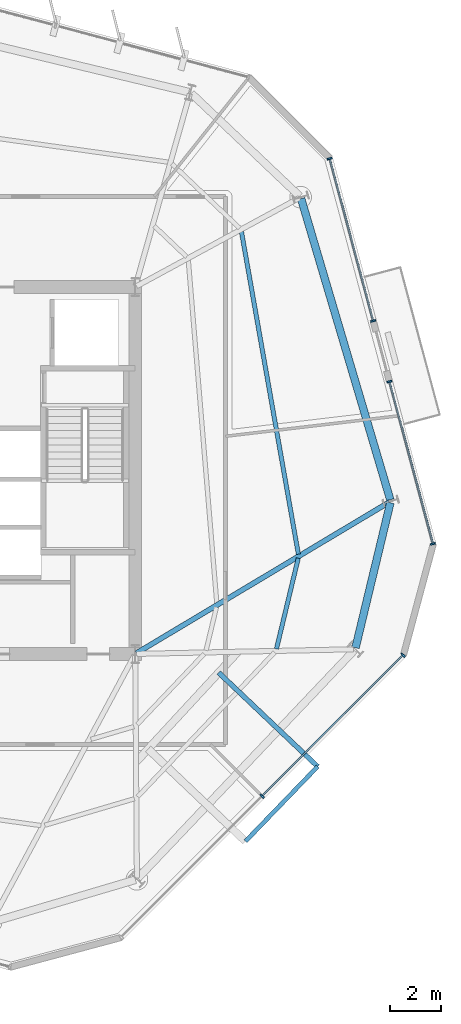
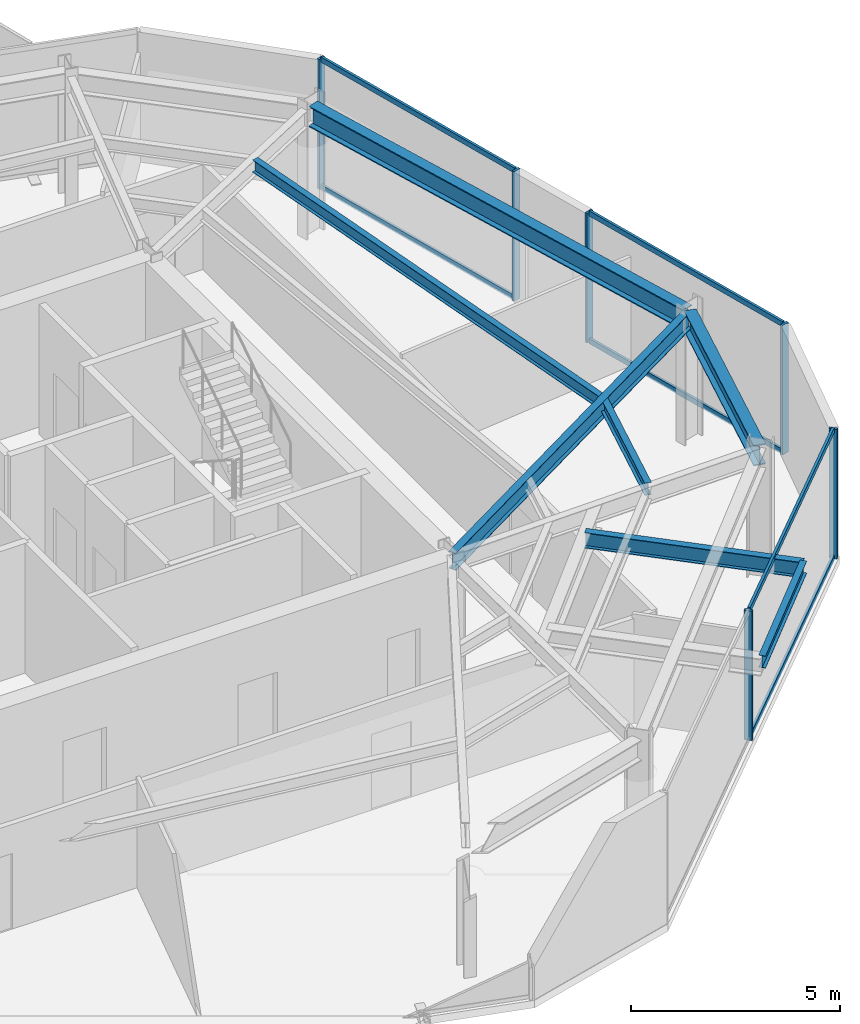
# One storey, part 5 of 12: 12 members, 7 beams, 3 elements without a shape of their own.
"""IFC4 building model written with IfcOpenShell, lengths in metres."""

from ifc_helpers import new_model, si_unit, direction, frame, origin, origin_2d, place, context, subcontext, project, spatial, rectangle, i_section, extrude, material, layer, layer_set, material_profile, profile_set, type_object, element, aggregate, save


model = new_model("IFC4")

# Units and contexts
model_context = context("Model", 3, precision=1e-05, world=origin(), true_north=direction((0.0, 1.0)))
body_context = subcontext(model_context, "Body", "Model", "MODEL_VIEW")
ifc_project = project(units=[si_unit("LENGTHUNIT", "METRE"), si_unit("AREAUNIT", "SQUARE_METRE"), si_unit("VOLUMEUNIT", "CUBIC_METRE"), si_unit("PLANEANGLEUNIT", "RADIAN"), si_unit("MASSUNIT", "GRAM", prefix="KILO")], contexts=[model_context])

# Site, building, storey
site_placement = place(None, origin())
site = spatial("IfcSite", under=ifc_project, at=site_placement, CompositionType="ELEMENT")
building_placement = place(site_placement, origin())
building = spatial("IfcBuilding", under=site, at=building_placement, Name="Kranzbogen Civic Tower", CompositionType="ELEMENT")
storey_placement = place(building_placement, frame((0.0, 0.0, 204.800048828125)))
storey = spatial("IfcBuildingStorey", under=building, at=storey_placement, Name="L49", CompositionType="ELEMENT", Elevation=204.800048828125)

# Beam
ifc_material_1 = material(Name="Steel S355", Category="steel")
ifc_material_profile_1 = material_profile(ifc_material_1, i_section(OverallWidth=0.18994140625, OverallDepth=0.449951171875, WebThickness=0.009521484375, FlangeThickness=0.0146484375, at=origin_2d()), Name="IPE 450")
ifc_profile_set_1 = profile_set([ifc_material_profile_1], Name="Steel S355")
beam_type_1 = type_object("IfcBeamType", Name="Braced Terrace Edge Beam IPE 450", PredefinedType="BEAM", material=ifc_profile_set_1)
beam_1_placement = place(storey_placement, frame((36.075927734375, 17.06591796875, 3.52490234375), z_axis=(0.725467201418, -0.688256739645, 0.0), x_axis=(0.688256739645, 0.725467201418, 0.0)))
element("IfcBeam", 1, at=beam_1_placement, inside=storey, type_object=beam_type_1, Name="L50 back-spanned terrace beam L50-TB2-2", PredefinedType="BEAM", context=body_context, shape_type="SweptSolid", body=[
    extrude(i_section(OverallWidth=0.18994140625, OverallDepth=0.449951171875, WebThickness=0.009521484375, FlangeThickness=0.0146484375, at=origin_2d()), origin(), (0.0, 0.0, 1.0), 5.353759765625),
])

# Curtain wall, members
ifc_material_2 = material(Name="Pale Anodised Aluminium", Category="aluminium")
ifc_layer = layer(ifc_material_2, 0.219970703125, Name="Pale Anodised Aluminium")
ifc_layer_set = layer_set([ifc_layer], Name="Pale Anodised Aluminium")
curtain_wall_type = type_object("IfcCurtainWallType", Name="Zone 3 Stick Curtain Wall System CW-04", PredefinedType="USERDEFINED", material=ifc_layer_set)
curtain_wall_1_placement = place(storey_placement, origin())
curtain_wall_1 = element("IfcCurtainWall", 2, at=curtain_wall_1_placement, inside=storey, type_object=curtain_wall_type, Name="L49 curtain wall CW-L49-F5", ObjectType="STICK CURTAIN WALL", PredefinedType="USERDEFINED")
ifc_material_profile_2 = material_profile(ifc_material_2, rectangle(XDim=0.070068359375, YDim=0.199951171875, at=origin_2d()), Name="ALU-M 70x200")
ifc_profile_set_2 = profile_set([ifc_material_profile_2], Name="Pale Anodised Aluminium")
member_type_1 = type_object("IfcMemberType", Name="Curtain Wall Mullion ALU-M 70x200", PredefinedType="MULLION", material=ifc_profile_set_2)
member_1_placement = place(storey_placement, frame((37.778564453125, 12.221435546875, 0.0), z_axis=(0.0, 0.0, 1.0), x_axis=(0.707106781187, 0.707106781187, 0.0)))
member_1 = element("IfcMember", 3, at=member_1_placement, type_object=member_type_1, Name="CW-04 mullion 2", PredefinedType="MULLION", context=body_context, shape_type="SweptSolid", body=[
    extrude(rectangle(XDim=0.070068359375, YDim=0.199951171875, at=origin_2d()), origin(), (0.0, 0.0, 1.0), 3.780029296875),
])
member_2_placement = place(storey_placement, frame((43.310791015625, 17.75390625, 0.0), z_axis=(0.0, 0.0, 1.0), x_axis=(0.707106781187, 0.707106781187, 0.0)))
member_2 = element("IfcMember", 4, at=member_2_placement, type_object=member_type_1, Name="CW-04 mullion 3", PredefinedType="MULLION", context=body_context, shape_type="SweptSolid", body=[
    extrude(rectangle(XDim=0.070068359375, YDim=0.199951171875, at=origin_2d()), origin(), (0.0, 0.0, 1.0), 3.780029296875),
])

curtain_wall_2_placement = place(storey_placement, origin())
curtain_wall_2 = element("IfcCurtainWall", 5, at=curtain_wall_2_placement, inside=storey, type_object=curtain_wall_type, Name="L49 curtain wall CW-L49-F6-S1", ObjectType="STICK CURTAIN WALL", PredefinedType="USERDEFINED")
member_3_placement = place(storey_placement, frame((44.481201171875, 22.119873046875, 0.0), z_axis=(0.0, 0.0, 1.0), x_axis=(-0.258803696103, 0.96592993891, 0.0)))
member_3 = element("IfcMember", 6, at=member_3_placement, type_object=member_type_1, Name="CW-04 mullion 1", PredefinedType="MULLION", context=body_context, shape_type="SweptSolid", body=[
    extrude(rectangle(XDim=0.070068359375, YDim=0.199951171875, at=origin_2d()), origin(), (0.0, 0.0, 1.0), 3.780029296875),
])
member_4_placement = place(storey_placement, frame((42.774658203125, 28.489013671875, 0.0), z_axis=(0.0, 0.0, 1.0), x_axis=(-0.258803696103, 0.96592993891, 0.0)))
member_4 = element("IfcMember", 7, at=member_4_placement, type_object=member_type_1, Name="CW-04 mullion 2", PredefinedType="MULLION", context=body_context, shape_type="SweptSolid", body=[
    extrude(rectangle(XDim=0.070068359375, YDim=0.199951171875, at=origin_2d()), origin(), (0.0, 0.0, 1.0), 3.780029296875),
])

curtain_wall_3_placement = place(storey_placement, origin())
curtain_wall_3 = element("IfcCurtainWall", 8, at=curtain_wall_3_placement, inside=storey, type_object=curtain_wall_type, Name="L49 curtain wall CW-L49-F6-S2", ObjectType="STICK CURTAIN WALL", PredefinedType="USERDEFINED")
member_5_placement = place(storey_placement, frame((42.13818359375, 30.864990234375, 0.0), z_axis=(0.0, 0.0, 1.0), x_axis=(-0.25890633069, 0.965902433959, 0.0)))
member_5 = element("IfcMember", 9, at=member_5_placement, type_object=member_type_1, Name="CW-04 mullion 1", PredefinedType="MULLION", context=body_context, shape_type="SweptSolid", body=[
    extrude(rectangle(XDim=0.070068359375, YDim=0.199951171875, at=origin_2d()), origin(), (0.0, 0.0, 1.0), 3.780029296875),
])
member_6_placement = place(storey_placement, frame((40.4306640625, 37.235107421875, 0.0), z_axis=(0.0, 0.0, 1.0), x_axis=(-0.25890633069, 0.965902433959, 0.0)))
member_6 = element("IfcMember", 10, at=member_6_placement, type_object=member_type_1, Name="CW-04 mullion 2", PredefinedType="MULLION", context=body_context, shape_type="SweptSolid", body=[
    extrude(rectangle(XDim=0.070068359375, YDim=0.199951171875, at=origin_2d()), origin(), (0.0, 0.0, 1.0), 3.780029296875),
])

# Member
ifc_material_profile_3 = material_profile(ifc_material_2, rectangle(XDim=0.070068359375, YDim=0.14990234375, at=origin_2d()), Name="ALU-T 70x150")
ifc_profile_set_3 = profile_set([ifc_material_profile_3], Name="Pale Anodised Aluminium")
member_type_2 = type_object("IfcMemberType", Name="Curtain Wall Transom ALU-T 70x150", PredefinedType="USERDEFINED", material=ifc_profile_set_3)
member_7_placement = place(storey_placement, frame((37.7998046875, 12.24267578125, 0.030029296875), z_axis=(0.707091058094, 0.70712250393, 0.0), x_axis=(-0.70712250393, 0.707091058094, 0.0)))
member_7 = element("IfcMember", 11, at=member_7_placement, type_object=member_type_2, Name="CW-04 transom 2.1", ObjectType="TRANSOM", PredefinedType="USERDEFINED", context=body_context, shape_type="SweptSolid", body=[
    extrude(rectangle(XDim=0.070068359375, YDim=0.14990234375, at=origin_2d()), origin(), (0.0, 0.0, 1.0), 7.763916015625),
])

member_8_placement = place(storey_placement, frame((37.7998046875, 12.24267578125, 3.75), z_axis=(0.707091058094, 0.70712250393, 0.0), x_axis=(-0.70712250393, 0.707091058094, 0.0)))
member_8 = element("IfcMember", 12, at=member_8_placement, type_object=member_type_2, Name="CW-04 transom 2.2", ObjectType="TRANSOM", PredefinedType="USERDEFINED", context=body_context, shape_type="SweptSolid", body=[
    extrude(rectangle(XDim=0.070068359375, YDim=0.14990234375, at=origin_2d()), origin(), (0.0, 0.0, 1.0), 7.763916015625),
])

aggregate(curtain_wall_1, [member_1, member_2, member_7, member_8])

member_9_placement = place(storey_placement, frame((44.473388671875, 22.14892578125, 0.030029296875), z_axis=(-0.258802079563, 0.965930372032, 0.0), x_axis=(-0.965930372032, -0.258802079563, 0.0)))
member_9 = element("IfcMember", 13, at=member_9_placement, type_object=member_type_2, Name="CW-04 transom 1.1", ObjectType="TRANSOM", PredefinedType="USERDEFINED", context=body_context, shape_type="SweptSolid", body=[
    extrude(rectangle(XDim=0.070068359375, YDim=0.14990234375, at=origin_2d()), origin(), (0.0, 0.0, 1.0), 6.53369140625),
])

member_10_placement = place(storey_placement, frame((44.473388671875, 22.14892578125, 3.75), z_axis=(-0.258802079563, 0.965930372032, 0.0), x_axis=(-0.965930372032, -0.258802079563, 0.0)))
member_10 = element("IfcMember", 14, at=member_10_placement, type_object=member_type_2, Name="CW-04 transom 1.2", ObjectType="TRANSOM", PredefinedType="USERDEFINED", context=body_context, shape_type="SweptSolid", body=[
    extrude(rectangle(XDim=0.070068359375, YDim=0.14990234375, at=origin_2d()), origin(), (0.0, 0.0, 1.0), 6.53369140625),
])

aggregate(curtain_wall_2, [member_3, member_4, member_9, member_10])

member_11_placement = place(storey_placement, frame((42.13037109375, 30.89404296875, 0.030029296875), z_axis=(-0.258904150865, 0.96590301825, 0.0), x_axis=(-0.96590301825, -0.258904150865, 0.0)))
member_11 = element("IfcMember", 15, at=member_11_placement, type_object=member_type_2, Name="CW-04 transom 1.1", ObjectType="TRANSOM", PredefinedType="USERDEFINED", context=body_context, shape_type="SweptSolid", body=[
    extrude(rectangle(XDim=0.070068359375, YDim=0.14990234375, at=origin_2d()), origin(), (0.0, 0.0, 1.0), 6.534912109375),
])

member_12_placement = place(storey_placement, frame((42.13037109375, 30.89404296875, 3.75), z_axis=(-0.258904150865, 0.96590301825, 0.0), x_axis=(-0.96590301825, -0.258904150865, 0.0)))
member_12 = element("IfcMember", 16, at=member_12_placement, type_object=member_type_2, Name="CW-04 transom 1.2", ObjectType="TRANSOM", PredefinedType="USERDEFINED", context=body_context, shape_type="SweptSolid", body=[
    extrude(rectangle(XDim=0.070068359375, YDim=0.14990234375, at=origin_2d()), origin(), (0.0, 0.0, 1.0), 6.534912109375),
])

aggregate(curtain_wall_3, [member_5, member_6, member_11, member_12])

# Beams
ifc_material_profile_4 = material_profile(ifc_material_1, i_section(OverallWidth=0.300048828125, OverallDepth=0.60009765625, WebThickness=0.015380859375, FlangeThickness=0.030029296875, at=origin_2d()), Name="HEB 600")
ifc_profile_set_4 = profile_set([ifc_material_profile_4], Name="Steel S355")
beam_type_2 = type_object("IfcBeamType", Name="Perimeter Tube Spandrel Beam HEB 600", PredefinedType="SPANDREL", material=ifc_profile_set_4)
beam_2_placement = place(storey_placement, frame((41.447021484375, 18.0419921875, 3.47998046875), z_axis=(0.233554380434, 0.972343741369, 0.0), x_axis=(-0.972343741369, 0.233554380434, 0.0)))
element("IfcBeam", 17, at=beam_2_placement, inside=storey, type_object=beam_type_2, Name="L49 perimeter spandrel beam 05", PredefinedType="SPANDREL", context=body_context, shape_type="SweptSolid", body=[
    extrude(i_section(OverallWidth=0.300048828125, OverallDepth=0.60009765625, WebThickness=0.015380859375, FlangeThickness=0.030029296875, at=origin_2d()), origin(), (0.0, 0.0, 1.0), 5.852783203125),
])
beam_3_placement = place(storey_placement, frame((42.81103515625, 23.84912109375, 3.47998046875), z_axis=(-0.284064048956, 0.958805306666, 0.0), x_axis=(-0.958805306666, -0.284064048956, 0.0)))
element("IfcBeam", 18, at=beam_3_placement, inside=storey, type_object=beam_type_2, Name="L49 perimeter spandrel beam 06", PredefinedType="SPANDREL", context=body_context, shape_type="SweptSolid", body=[
    extrude(i_section(OverallWidth=0.300048828125, OverallDepth=0.60009765625, WebThickness=0.015380859375, FlangeThickness=0.030029296875, at=origin_2d()), origin(), (0.0, 0.0, 1.0), 12.32470703125),
])
ifc_material_profile_5 = material_profile(ifc_material_1, i_section(OverallWidth=0.199951171875, OverallDepth=0.5, WebThickness=0.01025390625, FlangeThickness=0.01611328125, at=origin_2d()), Name="IPE 500")
ifc_profile_set_5 = profile_set([ifc_material_profile_5], Name="Steel S355")
beam_type_3 = type_object("IfcBeamType", Name="Radial Tower Floor Girder IPE 500", PredefinedType="BEAM", material=ifc_profile_set_5)
beam_4_placement = place(storey_placement, frame((42.77587890625, 23.760009765625, 3.530029296875), z_axis=(-0.858458551809, -0.512882944565, 0.0), x_axis=(0.512882944565, -0.858458551809, 0.0)))
element("IfcBeam", 19, at=beam_4_placement, inside=storey, type_object=beam_type_3, Name="L49 radial floor girder 06", PredefinedType="BEAM", context=body_context, shape_type="SweptSolid", body=[
    extrude(i_section(OverallWidth=0.199951171875, OverallDepth=0.5, WebThickness=0.01025390625, FlangeThickness=0.01611328125, at=origin_2d()), origin(), (0.0, 0.0, 1.0), 11.56005859375),
])
ifc_material_profile_6 = material_profile(ifc_material_1, i_section(OverallWidth=0.169921875, OverallDepth=0.360107421875, WebThickness=0.008056640625, FlangeThickness=0.0126953125, at=origin_2d()), Name="IPE 360")
ifc_profile_set_6 = profile_set([ifc_material_profile_6], Name="Steel S355")
beam_type_4 = type_object("IfcBeamType", Name="Secondary Composite Floor Joist IPE 360", PredefinedType="JOIST", material=ifc_profile_set_6)
beam_5_placement = place(storey_placement, frame((38.343994140625, 17.99609375, 3.599853515625), z_axis=(0.233534367714, 0.972348548154, 0.0), x_axis=(-0.972348548154, 0.233534367714, 0.0)))
element("IfcBeam", 20, at=beam_5_placement, inside=storey, type_object=beam_type_4, Name="L49 secondary floor joist 1.05", PredefinedType="JOIST", context=body_context, shape_type="SweptSolid", body=[
    extrude(i_section(OverallWidth=0.169921875, OverallDepth=0.360107421875, WebThickness=0.008056640625, FlangeThickness=0.0126953125, at=origin_2d()), origin(), (0.0, 0.0, 1.0), 3.6611328125),
])
beam_6_placement = place(storey_placement, frame((39.2041015625, 21.712890625, 3.599853515625), z_axis=(-0.173805911364, 0.984779927281, 0.0), x_axis=(-0.984779927281, -0.173805911364, 0.0)))
element("IfcBeam", 21, at=beam_6_placement, inside=storey, type_object=beam_type_4, Name="L49 secondary floor joist 1.06", PredefinedType="JOIST", context=body_context, shape_type="SweptSolid", body=[
    extrude(i_section(OverallWidth=0.169921875, OverallDepth=0.360107421875, WebThickness=0.008056640625, FlangeThickness=0.0126953125, at=origin_2d()), origin(), (0.0, 0.0, 1.0), 12.85986328125),
])
beam_7_placement = place(storey_placement, frame((37.1259765625, 10.445068359375, 3.570068359375), z_axis=(0.694492006212, 0.719500419255, 0.0), x_axis=(-0.719500419255, 0.694492006212, 0.0)))
element("IfcBeam", 22, at=beam_7_placement, inside=storey, type_object=beam_type_4, Name="L50 terrace outer edge trimmer L50-TB2", PredefinedType="JOIST", context=body_context, shape_type="SweptSolid", body=[
    extrude(i_section(OverallWidth=0.169921875, OverallDepth=0.360107421875, WebThickness=0.008056640625, FlangeThickness=0.0126953125, at=origin_2d()), origin(), (0.0, 0.0, 1.0), 4.08056640625),
])

save(model, "model.ifc")
